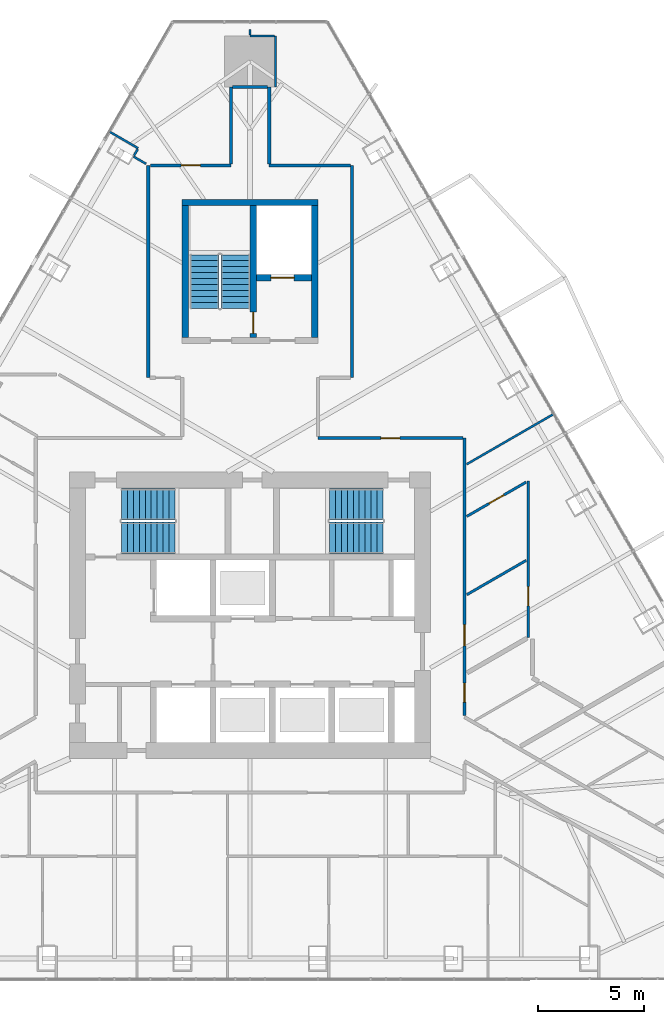
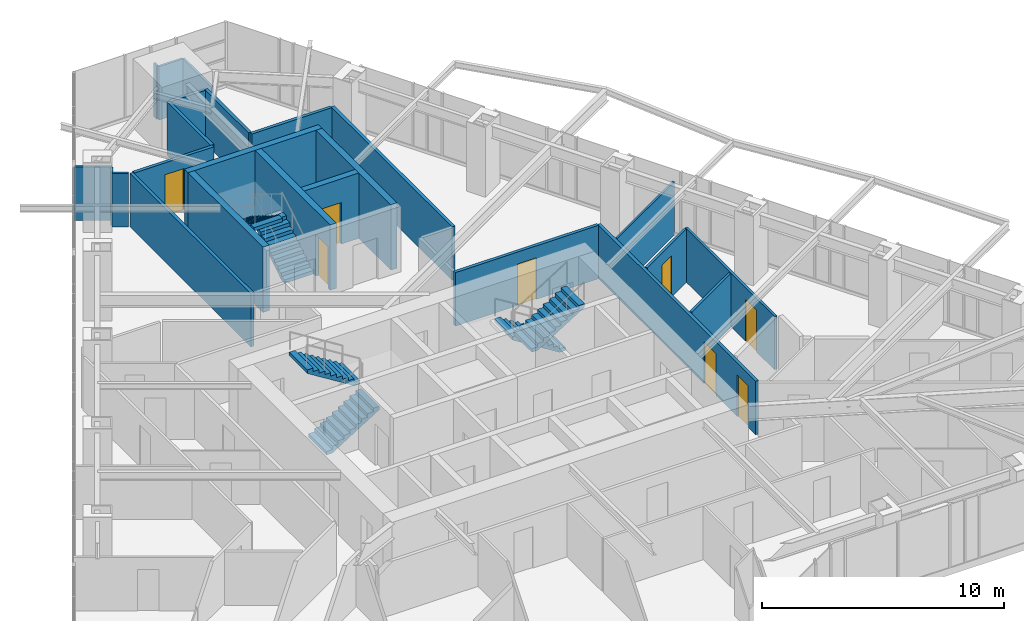
# One storey, part 24 of 26: 24 walls, 8 doors, 6 stair flights, 8 openings, 3 elements without a shape of their own.
"""IFC4 building model written with IfcOpenShell, lengths in metres."""

from ifc_helpers import new_model, si_unit, direction, frame, frame_2d, origin, place, context, subcontext, project, spatial, polyline, rectangle, outline, extrude, material, layer, layer_set, type_object, element, fill, aggregate, save


model = new_model("IFC4")

# Units and contexts
model_context = context("Model", 3, precision=1e-05, world=origin(), true_north=direction((0.0, 1.0)))
body_context = subcontext(model_context, "Body", "Model", "MODEL_VIEW")
ifc_project = project(units=[si_unit("LENGTHUNIT", "METRE"), si_unit("AREAUNIT", "SQUARE_METRE"), si_unit("VOLUMEUNIT", "CUBIC_METRE"), si_unit("PLANEANGLEUNIT", "RADIAN"), si_unit("MASSUNIT", "GRAM", prefix="KILO")], contexts=[model_context])

# Site, building, storey
site_placement = place(None, origin())
site = spatial("IfcSite", under=ifc_project, at=site_placement, CompositionType="ELEMENT")
building_placement = place(site_placement, origin())
building = spatial("IfcBuilding", under=site, at=building_placement, Name="Firuza Gate Tower and Library", CompositionType="ELEMENT")
storey_placement = place(building_placement, frame((0.0, 0.0, 288.10009765625)))
storey = spatial("IfcBuildingStorey", under=building, at=storey_placement, Name="L69", CompositionType="ELEMENT", Elevation=288.10009765625)

# Walls
ifc_material_1 = material(Name="Concrete C60/75", Category="concrete")
ifc_layer_1 = layer(ifc_material_1, 0.300048828125)
ifc_layer_set_1 = layer_set([ifc_layer_1], Name="Core wall 300 C60/75")
wall_type_1 = type_object("IfcWallType", Name="Core wall 300 C60/75", PredefinedType="SHEAR", material=ifc_layer_set_1)
wall_1_placement = place(storey_placement, frame((71.800048828125, 94.449951171875, 0.0), z_axis=(0.0, 0.0, 1.0), x_axis=(1.0, 0.0, 0.0)))
element("IfcWall", 1, at=wall_1_placement, inside=storey, type_object=wall_type_1, Name="Core wall L69 19", PredefinedType="SHEAR", context=body_context, shape_type="SweptSolid", body=[
    extrude(rectangle(XDim=6.39990234375, YDim=0.300048828125, at=frame_2d((3.199951171875, 0.0))), origin(), (0.0, 0.0, 1.0), 3.2998046875),
])
for number, where, z_axis, x_axis, name in (
    (2, (71.949951171875, 88.10009765625, 0.0), (0.0, 0.0, 1.0), (0.0, 1.0, 0.0), "Core wall L69 20"),
    (3, (78.050048828125, 88.10009765625, 0.0), (0.0, 0.0, 1.0), (0.0, 1.0, 0.0), "Core wall L69 21"),
):
    element("IfcWall", number, at=place(storey_placement, frame(where, z_axis=z_axis, x_axis=x_axis)), inside=storey, type_object=wall_type_1, Name=name, PredefinedType="SHEAR", context=body_context, shape_type="SweptSolid", body=[
        extrude(rectangle(XDim=6.199951171875, YDim=0.300048828125, at=frame_2d((3.10009765625, 0.0))), origin(), (0.0, 0.0, 1.0), 3.2998046875),
    ])

# Wall, opening, door
wall_2_placement = place(storey_placement, frame((75.300048828125, 90.89990234375, 0.0), z_axis=(0.0, 0.0, 1.0), x_axis=(1.0, 0.0, 0.0)))
wall_2 = element("IfcWall", 4, at=wall_2_placement, inside=storey, type_object=wall_type_1, Name="Core wall L69 22", PredefinedType="SHEAR", context=body_context, shape_type="SweptSolid", body=[
    extrude(rectangle(XDim=2.599853515625, YDim=0.300048828125, at=frame_2d((1.2998046875, 0.0))), origin(), (0.0, 0.0, 1.0), 3.2998046875),
])
opening_1_placement = place(wall_2_placement, frame((0.675048828125, 0.0, 0.0)))
opening_1 = element("IfcOpeningElement", 5, at=opening_1_placement, cuts=wall_2, Name="Opening LD-SV1-L69", PredefinedType="OPENING", context=body_context, shape_type="SweptSolid", body=[
    extrude(rectangle(XDim=1.10009765625, YDim=2.10009765625, at=frame_2d((0.550048828125, 1.050048828125))), frame((0.0, 0.16015625, 0.0), z_axis=(0.0, -1.0, 0.0), x_axis=(1.0, 0.0, 0.0)), (0.0, 0.0, 1.0), 0.320068359375),
])
ifc_material_2 = material(Name="Stainless steel", Category="steel")
door_type_1 = type_object("IfcDoorType", Name="Lift landing door 1100x2100", OperationType="DOUBLE_DOOR_SLIDING", PredefinedType="DOOR", material=ifc_material_2)
door_1_placement = place(opening_1_placement, origin())
door_1 = element("IfcDoor", 6, at=door_1_placement, inside=storey, type_object=door_type_1, Name="Landing door SV1 L69", OperationType="DOUBLE_DOOR_SLIDING", OverallHeight=2.10009765625, OverallWidth=1.10009765625, PredefinedType="DOOR", context=body_context, shape_type="SweptSolid", body=[
    extrude(rectangle(XDim=1.10009765625, YDim=2.10009765625, at=frame_2d((0.550048828125, 1.050048828125))), frame((0.0, 0.02490234375, 0.0), z_axis=(0.0, -1.0, 0.0), x_axis=(1.0, 0.0, 0.0)), (0.0, 0.0, 1.0), 0.050048828125),
])
fill(opening_1, door_1)

wall_3_placement = place(storey_placement, frame((75.14990234375, 88.10009765625, 0.0), z_axis=(0.0, 0.0, 1.0), x_axis=(0.0, 1.0, 0.0)))
wall_3 = element("IfcWall", 7, at=wall_3_placement, inside=storey, type_object=wall_type_1, Name="Core wall L69 23", PredefinedType="SHEAR", context=body_context, shape_type="SweptSolid", body=[
    extrude(rectangle(XDim=6.199951171875, YDim=0.300048828125, at=frame_2d((3.10009765625, 0.0))), origin(), (0.0, 0.0, 1.0), 3.2998046875),
])
opening_2_placement = place(wall_3_placement, frame((0.18505859375, 0.0, 0.0)))
opening_2 = element("IfcOpeningElement", 8, at=opening_2_placement, cuts=wall_3, Name="Opening L69-K12", PredefinedType="OPENING", context=body_context, shape_type="SweptSolid", body=[
    extrude(rectangle(XDim=1.0, YDim=2.10009765625, at=frame_2d((0.5, 1.050048828125))), frame((0.0, 0.16015625, 0.0), z_axis=(0.0, -1.0, 0.0), x_axis=(1.0, 0.0, 0.0)), (0.0, 0.0, 1.0), 0.320068359375),
])
ifc_material_3 = material(Name="Steel", Category="steel")
door_type_2 = type_object("IfcDoorType", Name="Fire door 1000x2100 FD90", OperationType="NOTDEFINED", PredefinedType="DOOR", material=ifc_material_3)
door_2_placement = place(opening_2_placement, origin())
door_2 = element("IfcDoor", 9, at=door_2_placement, inside=storey, type_object=door_type_2, Name="Door L69-K12", OperationType="SINGLE_SWING_LEFT", OverallHeight=2.10009765625, OverallWidth=1.0, PredefinedType="DOOR", context=body_context, shape_type="SweptSolid", body=[
    extrude(rectangle(XDim=1.0, YDim=2.10009765625, at=frame_2d((0.5, 1.050048828125))), frame((0.0, 0.02490234375, 0.0), z_axis=(0.0, -1.0, 0.0), x_axis=(1.0, 0.0, 0.0)), (0.0, 0.0, 1.0), 0.050048828125),
])
fill(opening_2, door_2)

ifc_material_4 = material(Name="Gypsum board partition")
ifc_layer_2 = layer(ifc_material_4, 0.14990234375)
ifc_layer_set_2 = layer_set([ifc_layer_2], Name="Corridor wall 150 double board on steel studs")
wall_type_2 = type_object("IfcWallType", Name="Corridor wall 150 double board on steel studs", PredefinedType="PARTITIONING", material=ifc_layer_set_2)
wall_4_placement = place(storey_placement, frame((78.199951171875, 83.35009765625, 0.0), z_axis=(0.0, 0.0, 1.0), x_axis=(1.0, 0.0, 0.0)))
wall_4 = element("IfcWall", 10, at=wall_4_placement, inside=storey, type_object=wall_type_2, Name="f:L69:w006", PredefinedType="PARTITIONING", context=body_context, shape_type="SweptSolid", body=[
    extrude(rectangle(XDim=6.822998046875, YDim=0.14990234375, at=frame_2d((3.41162109375, 0.0))), origin(), (0.0, 0.0, 1.0), 2.699951171875),
])
opening_3_placement = place(wall_4_placement, frame((2.96142578125, 0.0, 0.0)))
opening_3 = element("IfcOpeningElement", 11, at=opening_3_placement, cuts=wall_4, Name="Opening L69-07", PredefinedType="OPENING", context=body_context, shape_type="SweptSolid", body=[
    extrude(rectangle(XDim=0.89990234375, YDim=2.10009765625, at=frame_2d((0.449951171875, 1.050048828125))), frame((0.0, 0.0849609375, 0.0), z_axis=(0.0, -1.0, 0.0), x_axis=(1.0, 0.0, 0.0)), (0.0, 0.0, 1.0), 0.169921875),
])
ifc_material_5 = material(Name="Steel door and timber leaf", Category="steel")
door_type_3 = type_object("IfcDoorType", Name="Fire door 900 x 2100 steel frame, timber leaf", OperationType="NOTDEFINED", PredefinedType="DOOR", material=ifc_material_5)
door_3_placement = place(opening_3_placement, origin())
door_3 = element("IfcDoor", 12, at=door_3_placement, inside=storey, type_object=door_type_3, Name="f:L69:d007", OperationType="SINGLE_SWING_RIGHT", OverallHeight=2.10009765625, OverallWidth=0.89990234375, PredefinedType="DOOR", context=body_context, shape_type="SweptSolid", body=[
    extrude(rectangle(XDim=0.89990234375, YDim=2.10009765625, at=frame_2d((0.449951171875, 1.050048828125))), frame((0.0, 0.02490234375, 0.0), z_axis=(0.0, -1.0, 0.0), x_axis=(1.0, 0.0, 0.0)), (0.0, 0.0, 1.0), 0.050048828125),
])
fill(opening_3, door_3)

wall_5_placement = place(storey_placement, frame((70.30224609375, 96.199951171875, 0.0), z_axis=(0.0, 0.0, 1.0), x_axis=(1.0, 0.0, 0.0)))
wall_5 = element("IfcWall", 13, at=wall_5_placement, inside=storey, type_object=wall_type_2, Name="f:L69:w010", PredefinedType="PARTITIONING", context=body_context, shape_type="SweptSolid", body=[
    extrude(rectangle(XDim=3.7978515625, YDim=0.14990234375, at=frame_2d((1.89892578125, 0.0))), origin(), (0.0, 0.0, 1.0), 2.699951171875),
])
opening_4_placement = place(wall_5_placement, frame((1.448974609375, 0.0, 0.0)))
opening_4 = element("IfcOpeningElement", 14, at=opening_4_placement, cuts=wall_5, Name="Opening L69-09", PredefinedType="OPENING", context=body_context, shape_type="SweptSolid", body=[
    extrude(rectangle(XDim=0.89990234375, YDim=2.10009765625, at=frame_2d((0.449951171875, 1.050048828125))), frame((0.0, 0.0849609375, 0.0), z_axis=(0.0, -1.0, 0.0), x_axis=(1.0, 0.0, 0.0)), (0.0, 0.0, 1.0), 0.169921875),
])
door_4_placement = place(opening_4_placement, origin())
door_4 = element("IfcDoor", 15, at=door_4_placement, inside=storey, type_object=door_type_3, Name="f:L69:d009", OperationType="SINGLE_SWING_LEFT", OverallHeight=2.10009765625, OverallWidth=0.89990234375, PredefinedType="DOOR", context=body_context, shape_type="SweptSolid", body=[
    extrude(rectangle(XDim=0.89990234375, YDim=2.10009765625, at=frame_2d((0.449951171875, 1.050048828125))), frame((0.0, 0.02490234375, 0.0), z_axis=(0.0, -1.0, 0.0), x_axis=(1.0, 0.0, 0.0)), (0.0, 0.0, 1.0), 0.050048828125),
])
fill(opening_4, door_4)

# Walls
wall_6_placement = place(storey_placement, frame((75.900146484375, 96.199951171875, 0.0), z_axis=(0.0, 0.0, 1.0), x_axis=(1.0, 0.0, 0.0)))
element("IfcWall", 16, at=wall_6_placement, inside=storey, type_object=wall_type_2, Name="f:L69:w011", PredefinedType="PARTITIONING", context=body_context, shape_type="SweptSolid", body=[
    extrude(rectangle(XDim=3.82275390625, YDim=0.14990234375, at=frame_2d((1.911376953125, 0.0))), origin(), (0.0, 0.0, 1.0), 2.699951171875),
])
wall_7_placement = place(storey_placement, frame((74.175537109375, 99.90087890625, 0.0), z_axis=(0.0, 0.0, 1.0), x_axis=(1.0, 0.0, 0.0)))
element("IfcWall", 17, at=wall_7_placement, inside=storey, type_object=wall_type_2, Name="f:L69:w012", PredefinedType="PARTITIONING", context=body_context, shape_type="SweptSolid", body=[
    extrude(rectangle(XDim=1.642333984375, YDim=0.14990234375, at=frame_2d((0.8212890625, 0.0))), origin(), (0.0, 0.0, 1.0), 2.697021484375),
])

# Wall, openings, doors
wall_8_placement = place(storey_placement, frame((85.10009765625, 83.347900390625, 0.0), z_axis=(0.0, 0.0, 1.0), x_axis=(0.0, -1.0, 0.0)))
wall_8 = element("IfcWall", 18, at=wall_8_placement, inside=storey, type_object=wall_type_2, Name="f:L69:w042", PredefinedType="PARTITIONING", context=body_context, shape_type="SweptSolid", body=[
    extrude(rectangle(XDim=13.05322265625, YDim=0.14990234375, at=frame_2d((6.526611328125, 0.0))), origin(), (0.0, 0.0, 1.0), 2.699951171875),
])
opening_5_placement = place(wall_8_placement, frame((8.779541015625, 0.0, 0.0)))
opening_5 = element("IfcOpeningElement", 19, at=opening_5_placement, cuts=wall_8, Name="Opening L69-18", PredefinedType="OPENING", context=body_context, shape_type="SweptSolid", body=[
    extrude(rectangle(XDim=1.0, YDim=2.10009765625, at=frame_2d((0.5, 1.050048828125))), frame((0.0, 0.0849609375, 0.0), z_axis=(0.0, -1.0, 0.0), x_axis=(1.0, 0.0, 0.0)), (0.0, 0.0, 1.0), 0.169921875),
])
opening_6_placement = place(wall_8_placement, frame((11.537109375, 0.0, 0.0)))
opening_6 = element("IfcOpeningElement", 20, at=opening_6_placement, cuts=wall_8, Name="Opening L69-19", PredefinedType="OPENING", context=body_context, shape_type="SweptSolid", body=[
    extrude(rectangle(XDim=0.89990234375, YDim=2.10009765625, at=frame_2d((0.449951171875, 1.050048828125))), frame((0.0, 0.0849609375, 0.0), z_axis=(0.0, -1.0, 0.0), x_axis=(1.0, 0.0, 0.0)), (0.0, 0.0, 1.0), 0.169921875),
])
ifc_material_6 = material(Name="Steel door and timber leaf", Category="steel")
door_type_4 = type_object("IfcDoorType", Name="Fire door 1000 x 2100 steel frame, timber leaf", OperationType="NOTDEFINED", PredefinedType="DOOR", material=ifc_material_6)
door_5_placement = place(opening_5_placement, origin())
door_5 = element("IfcDoor", 21, at=door_5_placement, inside=storey, type_object=door_type_4, Name="f:L69:d018", OperationType="SINGLE_SWING_LEFT", OverallHeight=2.10009765625, OverallWidth=1.0, PredefinedType="DOOR", context=body_context, shape_type="SweptSolid", body=[
    extrude(rectangle(XDim=1.0, YDim=2.10009765625, at=frame_2d((0.5, 1.050048828125))), frame((0.0, 0.02490234375, 0.0), z_axis=(0.0, -1.0, 0.0), x_axis=(1.0, 0.0, 0.0)), (0.0, 0.0, 1.0), 0.050048828125),
])
fill(opening_5, door_5)
door_6_placement = place(opening_6_placement, origin())
door_6 = element("IfcDoor", 22, at=door_6_placement, inside=storey, type_object=door_type_3, Name="f:L69:d019", OperationType="SINGLE_SWING_LEFT", OverallHeight=2.10009765625, OverallWidth=0.89990234375, PredefinedType="DOOR", context=body_context, shape_type="SweptSolid", body=[
    extrude(rectangle(XDim=0.89990234375, YDim=2.10009765625, at=frame_2d((0.449951171875, 1.050048828125))), frame((0.0, 0.02490234375, 0.0), z_axis=(0.0, -1.0, 0.0), x_axis=(1.0, 0.0, 0.0)), (0.0, 0.0, 1.0), 0.050048828125),
])
fill(opening_6, door_6)

# Walls
wall_9_placement = place(storey_placement, frame((79.800048828125, 86.201904296875, 0.0), z_axis=(0.0, 0.0, 1.0), x_axis=(0.0, 1.0, 0.0)))
element("IfcWall", 23, at=wall_9_placement, inside=storey, type_object=wall_type_2, Name="f:L69:w044", PredefinedType="PARTITIONING", context=body_context, shape_type="SweptSolid", body=[
    extrude(rectangle(XDim=9.99609375, YDim=0.14990234375, at=frame_2d((4.998046875, 0.0))), origin(), (0.0, 0.0, 1.0), 2.699951171875),
])
wall_10_placement = place(storey_placement, frame((75.89990234375, 96.275146484375, 0.0), z_axis=(0.0, 0.0, 1.0), x_axis=(0.0, 1.0, 0.0)))
element("IfcWall", 24, at=wall_10_placement, inside=storey, type_object=wall_type_2, Name="f:L69:w048", PredefinedType="PARTITIONING", context=body_context, shape_type="SweptSolid", body=[
    extrude(rectangle(XDim=3.62548828125, YDim=0.14990234375, at=frame_2d((1.812744140625, 0.0))), origin(), (0.0, 0.0, 1.0), 2.699951171875),
])
wall_11_placement = place(storey_placement, frame((74.10009765625, 96.27490234375, 0.0), z_axis=(0.0, 0.0, 1.0), x_axis=(0.0, 1.0, 0.0)))
element("IfcWall", 25, at=wall_11_placement, inside=storey, type_object=wall_type_2, Name="f:L69:w050", PredefinedType="PARTITIONING", context=body_context, shape_type="SweptSolid", body=[
    extrude(rectangle(XDim=3.625244140625, YDim=0.14990234375, at=frame_2d((1.8125, 0.0))), origin(), (0.0, 0.0, 1.0), 2.699951171875),
])
wall_12_placement = place(storey_placement, frame((70.199951171875, 86.200439453125, 0.0), z_axis=(0.0, 0.0, 1.0), x_axis=(0.0, 1.0, 0.0)))
element("IfcWall", 26, at=wall_12_placement, inside=storey, type_object=wall_type_2, Name="f:L69:w053", PredefinedType="PARTITIONING", context=body_context, shape_type="SweptSolid", body=[
    extrude(rectangle(XDim=9.9990234375, YDim=0.14990234375, at=frame_2d((4.99951171875, 0.0))), origin(), (0.0, 0.0, 1.0), 2.699951171875),
])
ifc_material_7 = material(Name="Gypsum board partition")
ifc_layer_3 = layer(ifc_material_7, 0.10009765625)
ifc_layer_set_3 = layer_set([ifc_layer_3], Name="Partition 100 gypsum board on steel studs")
wall_type_3 = type_object("IfcWallType", Name="Partition 100 gypsum board on steel studs", PredefinedType="PARTITIONING", material=ifc_layer_set_3)
wall_13_placement = place(storey_placement, frame((75.00048828125, 102.301025390625, 0.0), z_axis=(0.0, 0.0, 1.0), x_axis=(1.0, 0.0, 0.0)))
element("IfcWall", 27, at=wall_13_placement, inside=storey, type_object=wall_type_3, Name="f:L69:w013", PredefinedType="PARTITIONING", context=body_context, shape_type="SweptSolid", body=[
    extrude(rectangle(XDim=1.1474609375, YDim=0.10009765625, at=frame_2d((0.57373046875, 0.0))), origin(), (0.0, 0.0, 1.0), 2.699951171875),
])
wall_14_placement = place(storey_placement, frame((85.200927734375, 82.119384765625, 0.0), z_axis=(0.0, 0.0, 1.0), x_axis=(0.866035297817, 0.499982862641, 0.0)))
element("IfcWall", 28, at=wall_14_placement, inside=storey, type_object=wall_type_3, Name="f:L69:w027", PredefinedType="PARTITIONING", context=body_context, shape_type="SweptSolid", body=[
    extrude(rectangle(XDim=4.734130859375, YDim=0.10009765625, at=frame_2d((2.3671875, 0.0))), origin(), (0.0, 0.0, 1.0), 2.68798828125),
])
wall_15_placement = place(storey_placement, frame((69.52978515625, 96.6611328125, 0.0), z_axis=(0.0, 0.0, 1.0), x_axis=(0.499904278411, 0.866080661617, 0.0)))
element("IfcWall", 29, at=wall_15_placement, inside=storey, type_object=wall_type_3, Name="f:L69:w031", PredefinedType="PARTITIONING", context=body_context, shape_type="SweptSolid", body=[
    extrude(rectangle(XDim=0.3486328125, YDim=0.10009765625, at=frame_2d((0.17431640625, 0.0))), origin(), (0.0, 0.0, 1.0), 2.699951171875),
])
wall_16_placement = place(storey_placement, frame((76.199951171875, 99.902587890625, 0.0), z_axis=(0.0, 0.0, 1.0), x_axis=(0.0, 1.0, 0.0)))
element("IfcWall", 30, at=wall_16_placement, inside=storey, type_object=wall_type_3, Name="f:L69:w047", PredefinedType="PARTITIONING", context=body_context, shape_type="SweptSolid", body=[
    extrude(rectangle(XDim=2.39599609375, YDim=0.10009765625, at=frame_2d((1.197998046875, 0.0))), origin(), (0.0, 0.0, 1.0), 2.699951171875),
])
wall_17_placement = place(storey_placement, frame((75.0, 102.35107421875, 0.0), z_axis=(0.0, 0.0, 1.0), x_axis=(0.0, 1.0, 0.0)))
element("IfcWall", 31, at=wall_17_placement, inside=storey, type_object=wall_type_3, Name="f:L69:w049", PredefinedType="PARTITIONING", context=body_context, shape_type="SweptSolid", body=[
    extrude(rectangle(XDim=0.24951171875, YDim=0.10009765625, at=frame_2d((0.124755859375, 0.0))), origin(), (0.0, 0.0, 1.0), 2.699951171875),
])
wall_18_placement = place(storey_placement, frame((69.728759765625, 97.007080078125, 0.0), z_axis=(0.0, 0.0, 1.0), x_axis=(-0.866018739521, 0.500011542666, 0.0)))
element("IfcWall", 32, at=wall_18_placement, inside=storey, type_object=wall_type_3, Name="f:L69:w064", PredefinedType="PARTITIONING", context=body_context, shape_type="SweptSolid", body=[
    extrude(rectangle(XDim=1.5595703125, YDim=0.10009765625, at=frame_2d((0.77978515625, 0.0))), origin(), (0.0, 0.0, 1.0), 2.699951171875),
])
wall_19_placement = place(storey_placement, frame((70.09716796875, 96.27490234375, 0.0), z_axis=(0.0, 0.0, 1.0), x_axis=(-0.866060802215, 0.499938683108, 0.0)))
element("IfcWall", 33, at=wall_19_placement, inside=storey, type_object=wall_type_3, Name="f:L69:w065", PredefinedType="PARTITIONING", context=body_context, shape_type="SweptSolid", body=[
    extrude(rectangle(XDim=0.68408203125, YDim=0.10009765625, at=frame_2d((0.342041015625, 0.0))), origin(), (0.0, 0.0, 1.0), 2.699951171875),
])
ifc_material_8 = material(Name="Gypsum board partition")
ifc_layer_4 = layer(ifc_material_8, 0.1201171875)
ifc_layer_set_4 = layer_set([ifc_layer_4], Name="Wet-area partition 120 moisture-resistant board")
wall_type_4 = type_object("IfcWallType", Name="Wet-area partition 120 moisture-resistant board", PredefinedType="PARTITIONING", material=ifc_layer_set_4)
wall_20_placement = place(storey_placement, frame((85.209716796875, 75.975830078125, 0.0), z_axis=(0.0, 0.0, 1.0), x_axis=(0.86605210011, 0.499953757757, 0.0)))
element("IfcWall", 34, at=wall_20_placement, inside=storey, type_object=wall_type_4, Name="f:L69:w020", PredefinedType="PARTITIONING", context=body_context, shape_type="SweptSolid", body=[
    extrude(rectangle(XDim=3.228271484375, YDim=0.1201171875, at=frame_2d((1.6142578125, 0.0))), origin(), (0.0, 0.0, 1.0), 2.699951171875),
])

# Wall, opening, door
wall_21_placement = place(storey_placement, frame((88.00537109375, 81.279052734375, 0.0), z_axis=(0.0, 0.0, 1.0), x_axis=(-0.866000447062, -0.500043223821, 0.0)))
wall_21 = element("IfcWall", 35, at=wall_21_placement, inside=storey, type_object=wall_type_4, Name="f:L69:w023", PredefinedType="PARTITIONING", context=body_context, shape_type="SweptSolid", body=[
    extrude(rectangle(XDim=3.228271484375, YDim=0.1201171875, at=frame_2d((1.6142578125, 0.0))), origin(), (0.0, 0.0, 1.0), 2.699951171875),
])
opening_7_placement = place(wall_21_placement, frame((1.214111328125, 0.0, 0.0)))
opening_7 = element("IfcOpeningElement", 36, at=opening_7_placement, cuts=wall_21, Name="Opening L69-11", PredefinedType="OPENING", context=body_context, shape_type="SweptSolid", body=[
    extrude(rectangle(XDim=0.800048828125, YDim=2.10009765625, at=frame_2d((0.39990234375, 1.050048828125))), frame((0.0, 0.070068359375, 0.0), z_axis=(0.0, -1.0, 0.0), x_axis=(1.0, 0.0, 0.0)), (0.0, 0.0, 1.0), 0.14013671875),
])
ifc_material_9 = material(Name="Timber door", Category="wood")
door_type_5 = type_object("IfcDoorType", Name="Door 800 x 2100 timber leaf", OperationType="NOTDEFINED", PredefinedType="DOOR", material=ifc_material_9)
door_7_placement = place(opening_7_placement, origin())
door_7 = element("IfcDoor", 37, at=door_7_placement, inside=storey, type_object=door_type_5, Name="f:L69:d011", OperationType="SINGLE_SWING_RIGHT", OverallHeight=2.10009765625, OverallWidth=0.800048828125, PredefinedType="DOOR", context=body_context, shape_type="SweptSolid", body=[
    extrude(rectangle(XDim=0.800048828125, YDim=2.10009765625, at=frame_2d((0.39990234375, 1.050048828125))), frame((0.0, 0.02490234375, 0.0), z_axis=(0.0, -1.0, 0.0), x_axis=(1.0, 0.0, 0.0)), (0.0, 0.0, 1.0), 0.050048828125),
])
fill(opening_7, door_7)

wall_22_placement = place(storey_placement, frame((88.10009765625, 81.333740234375, 0.0), z_axis=(0.0, 0.0, 1.0), x_axis=(0.0, -1.0, 0.0)))
wall_22 = element("IfcWall", 38, at=wall_22_placement, inside=storey, type_object=wall_type_4, Name="f:L69:w038", PredefinedType="PARTITIONING", context=body_context, shape_type="SweptSolid", body=[
    extrude(rectangle(XDim=7.3779296875, YDim=0.1201171875, at=frame_2d((3.68896484375, 0.0))), origin(), (0.0, 0.0, 1.0), 2.699951171875),
])
opening_8_placement = place(wall_22_placement, frame((4.98193359375, 0.0, 0.0)))
opening_8 = element("IfcOpeningElement", 39, at=opening_8_placement, cuts=wall_22, Name="Opening L69-16", PredefinedType="OPENING", context=body_context, shape_type="SweptSolid", body=[
    extrude(rectangle(XDim=0.89990234375, YDim=2.10009765625, at=frame_2d((0.449951171875, 1.050048828125))), frame((0.0, 0.070068359375, 0.0), z_axis=(0.0, -1.0, 0.0), x_axis=(1.0, 0.0, 0.0)), (0.0, 0.0, 1.0), 0.14013671875),
])
ifc_material_10 = material(Name="Timber door", Category="wood")
door_type_6 = type_object("IfcDoorType", Name="Door 900 x 2100 timber leaf", OperationType="NOTDEFINED", PredefinedType="DOOR", material=ifc_material_10)
door_8_placement = place(opening_8_placement, origin())
door_8 = element("IfcDoor", 40, at=door_8_placement, inside=storey, type_object=door_type_6, Name="f:L69:d016", OperationType="SINGLE_SWING_RIGHT", OverallHeight=2.10009765625, OverallWidth=0.89990234375, PredefinedType="DOOR", context=body_context, shape_type="SweptSolid", body=[
    extrude(rectangle(XDim=0.89990234375, YDim=2.10009765625, at=frame_2d((0.449951171875, 1.050048828125))), frame((0.0, 0.02490234375, 0.0), z_axis=(0.0, -1.0, 0.0), x_axis=(1.0, 0.0, 0.0)), (0.0, 0.0, 1.0), 0.050048828125),
])
fill(opening_8, door_8)

# Stair, stair flights
ifc_material_11 = material(Name="Concrete C35/45", Category="concrete")
stair_type_1 = type_object("IfcStairType", Name="Exit stair ST17", PredefinedType="HALF_TURN_STAIR", material=ifc_material_11)
placement = place(storey_placement, origin())
stair_1 = element("IfcStair", 41, at=placement, inside=storey, type_object=stair_type_1, Name="L69 Stair ST3", PredefinedType="HALF_TURN_STAIR")
ifc_material_12 = material(Name="Concrete C35/45", Category="concrete")
stair_flight_type_1 = type_object("IfcStairFlightType", Name="Stair flight 10 risers 175 width 1370", PredefinedType="STRAIGHT", material=ifc_material_12)
stair_flight_1_placement = place(storey_placement, frame((74.31494140625, 89.469970703125, 0.0), z_axis=(0.0, 0.0, 1.0), x_axis=(0.0, 1.0, 0.0)))
stair_flight_1 = element("IfcStairFlight", 42, at=stair_flight_1_placement, type_object=stair_flight_type_1, Name="ST3 flight 1", NumberOfRisers=10, NumberOfTreads=9, PredefinedType="STRAIGHT", RiserHeight=0.175, TreadLength=0.28, context=body_context, shape_type="SweptSolid", body=[
    extrude(outline(polyline([(0.0, 0.0), (0.0, 0.175048828125), (0.280029296875, 0.175048828125), (0.280029296875, 0.35009765625), (0.56005859375, 0.35009765625), (0.56005859375, 0.52490234375), (0.840087890625, 0.52490234375), (0.840087890625, 0.699951171875), (1.1201171875, 0.699951171875), (1.1201171875, 0.875), (1.39990234375, 0.875), (1.39990234375, 1.050048828125), (1.679931640625, 1.050048828125), (1.679931640625, 1.22509765625), (1.9599609375, 1.22509765625), (1.9599609375, 1.39990234375), (2.239990234375, 1.39990234375), (2.239990234375, 1.574951171875), (2.52001953125, 1.574951171875), (2.52001953125, 1.75), (2.52001953125, 1.398193359375), (0.28271484375, 0.0), (0.0, 0.0)])), frame((0.0, 0.68505859375, 0.0), z_axis=(0.0, -1.0, 0.0), x_axis=(1.0, 0.0, 0.0)), (0.0, 0.0, 1.0), 1.3701171875),
])
stair_flight_2_placement = place(storey_placement, frame((72.844970703125, 91.989990234375, 1.75), z_axis=(0.0, 0.0, 1.0), x_axis=(0.0, -1.0, 0.0)))
stair_flight_2 = element("IfcStairFlight", 43, at=stair_flight_2_placement, type_object=stair_flight_type_1, Name="ST3 flight 2", NumberOfRisers=10, NumberOfTreads=9, PredefinedType="STRAIGHT", RiserHeight=0.175, TreadLength=0.28, context=body_context, shape_type="SweptSolid", body=[
    extrude(outline(polyline([(0.0, 0.0), (0.0, 0.175048828125), (0.280029296875, 0.175048828125), (0.280029296875, 0.35009765625), (0.56005859375, 0.35009765625), (0.56005859375, 0.52490234375), (0.840087890625, 0.52490234375), (0.840087890625, 0.699951171875), (1.1201171875, 0.699951171875), (1.1201171875, 0.875), (1.39990234375, 0.875), (1.39990234375, 1.050048828125), (1.679931640625, 1.050048828125), (1.679931640625, 1.22509765625), (1.9599609375, 1.22509765625), (1.9599609375, 1.39990234375), (2.239990234375, 1.39990234375), (2.239990234375, 1.574951171875), (2.52001953125, 1.574951171875), (2.52001953125, 1.75), (2.52001953125, 1.398193359375), (0.28271484375, 0.0), (0.0, 0.0)])), frame((0.0, 0.68505859375, 0.0), z_axis=(0.0, -1.0, 0.0), x_axis=(1.0, 0.0, 0.0)), (0.0, 0.0, 1.0), 1.3701171875),
])
aggregate(stair_1, [stair_flight_1, stair_flight_2])

ifc_material_13 = material(Name="Concrete C35/45", Category="concrete")
stair_type_2 = type_object("IfcStairType", Name="Exit stair ST8", PredefinedType="HALF_TURN_STAIR", material=ifc_material_13)
stair_2 = element("IfcStair", 44, at=placement, inside=storey, type_object=stair_type_2, Name="L69 Stair ST1", PredefinedType="HALF_TURN_STAIR")
ifc_material_14 = material(Name="Concrete C35/45", Category="concrete")
stair_flight_type_2 = type_object("IfcStairFlightType", Name="Stair flight 10 risers 175 width 1490", PredefinedType="STRAIGHT", material=ifc_material_14)
stair_flight_3_placement = place(storey_placement, frame((68.93994140625, 78.64501953125, 0.0), z_axis=(0.0, 0.0, 1.0), x_axis=(1.0, 0.0, 0.0)))
stair_flight_3 = element("IfcStairFlight", 45, at=stair_flight_3_placement, type_object=stair_flight_type_2, Name="ST1 flight 1", NumberOfRisers=10, NumberOfTreads=9, PredefinedType="STRAIGHT", RiserHeight=0.175, TreadLength=0.28, context=body_context, shape_type="SweptSolid", body=[
    extrude(outline(polyline([(0.0, 0.0), (0.0, 0.175048828125), (0.280029296875, 0.175048828125), (0.280029296875, 0.35009765625), (0.56005859375, 0.35009765625), (0.56005859375, 0.52490234375), (0.840087890625, 0.52490234375), (0.840087890625, 0.699951171875), (1.1201171875, 0.699951171875), (1.1201171875, 0.875), (1.39990234375, 0.875), (1.39990234375, 1.050048828125), (1.679931640625, 1.050048828125), (1.679931640625, 1.22509765625), (1.9599609375, 1.22509765625), (1.9599609375, 1.39990234375), (2.239990234375, 1.39990234375), (2.239990234375, 1.574951171875), (2.52001953125, 1.574951171875), (2.52001953125, 1.75), (2.52001953125, 1.398193359375), (0.28271484375, 0.0), (0.0, 0.0)])), frame((0.0, 0.7451171875, 0.0), z_axis=(0.0, -1.0, 0.0), x_axis=(1.0, 0.0, 0.0)), (0.0, 0.0, 1.0), 1.489990234375),
])
stair_flight_4_placement = place(storey_placement, frame((71.4599609375, 80.235107421875, 1.75), z_axis=(0.0, 0.0, 1.0), x_axis=(-1.0, 0.0, 0.0)))
stair_flight_4 = element("IfcStairFlight", 46, at=stair_flight_4_placement, type_object=stair_flight_type_2, Name="ST1 flight 2", NumberOfRisers=10, NumberOfTreads=9, PredefinedType="STRAIGHT", RiserHeight=0.175, TreadLength=0.28, context=body_context, shape_type="SweptSolid", body=[
    extrude(outline(polyline([(0.0, 0.0), (0.0, 0.175048828125), (0.280029296875, 0.175048828125), (0.280029296875, 0.35009765625), (0.56005859375, 0.35009765625), (0.56005859375, 0.52490234375), (0.840087890625, 0.52490234375), (0.840087890625, 0.699951171875), (1.1201171875, 0.699951171875), (1.1201171875, 0.875), (1.39990234375, 0.875), (1.39990234375, 1.050048828125), (1.679931640625, 1.050048828125), (1.679931640625, 1.22509765625), (1.9599609375, 1.22509765625), (1.9599609375, 1.39990234375), (2.239990234375, 1.39990234375), (2.239990234375, 1.574951171875), (2.52001953125, 1.574951171875), (2.52001953125, 1.75), (2.52001953125, 1.398193359375), (0.28271484375, 0.0), (0.0, 0.0)])), frame((0.0, 0.7451171875, 0.0), z_axis=(0.0, -1.0, 0.0), x_axis=(1.0, 0.0, 0.0)), (0.0, 0.0, 1.0), 1.489990234375),
])
aggregate(stair_2, [stair_flight_3, stair_flight_4])

stair_3 = element("IfcStair", 47, at=placement, inside=storey, type_object=stair_type_2, Name="L69 Stair ST2", PredefinedType="HALF_TURN_STAIR")
stair_flight_5_placement = place(storey_placement, frame((81.260009765625, 80.235107421875, 0.0), z_axis=(0.0, 0.0, 1.0), x_axis=(-1.0, 0.0, 0.0)))
stair_flight_5 = element("IfcStairFlight", 48, at=stair_flight_5_placement, type_object=stair_flight_type_2, Name="ST2 flight 1", NumberOfRisers=10, NumberOfTreads=9, PredefinedType="STRAIGHT", RiserHeight=0.175, TreadLength=0.28, context=body_context, shape_type="SweptSolid", body=[
    extrude(outline(polyline([(0.0, 0.0), (0.0, 0.175048828125), (0.280029296875, 0.175048828125), (0.280029296875, 0.35009765625), (0.56005859375, 0.35009765625), (0.56005859375, 0.52490234375), (0.840087890625, 0.52490234375), (0.840087890625, 0.699951171875), (1.1201171875, 0.699951171875), (1.1201171875, 0.875), (1.39990234375, 0.875), (1.39990234375, 1.050048828125), (1.679931640625, 1.050048828125), (1.679931640625, 1.22509765625), (1.9599609375, 1.22509765625), (1.9599609375, 1.39990234375), (2.239990234375, 1.39990234375), (2.239990234375, 1.574951171875), (2.52001953125, 1.574951171875), (2.52001953125, 1.75), (2.52001953125, 1.398193359375), (0.28271484375, 0.0), (0.0, 0.0)])), frame((0.0, 0.7451171875, 0.0), z_axis=(0.0, -1.0, 0.0), x_axis=(1.0, 0.0, 0.0)), (0.0, 0.0, 1.0), 1.489990234375),
])
stair_flight_6_placement = place(storey_placement, frame((78.739990234375, 78.64501953125, 1.75), z_axis=(0.0, 0.0, 1.0), x_axis=(1.0, 0.0, 0.0)))
stair_flight_6 = element("IfcStairFlight", 49, at=stair_flight_6_placement, type_object=stair_flight_type_2, Name="ST2 flight 2", NumberOfRisers=10, NumberOfTreads=9, PredefinedType="STRAIGHT", RiserHeight=0.175, TreadLength=0.28, context=body_context, shape_type="SweptSolid", body=[
    extrude(outline(polyline([(0.0, 0.0), (0.0, 0.175048828125), (0.280029296875, 0.175048828125), (0.280029296875, 0.35009765625), (0.56005859375, 0.35009765625), (0.56005859375, 0.52490234375), (0.840087890625, 0.52490234375), (0.840087890625, 0.699951171875), (1.1201171875, 0.699951171875), (1.1201171875, 0.875), (1.39990234375, 0.875), (1.39990234375, 1.050048828125), (1.679931640625, 1.050048828125), (1.679931640625, 1.22509765625), (1.9599609375, 1.22509765625), (1.9599609375, 1.39990234375), (2.239990234375, 1.39990234375), (2.239990234375, 1.574951171875), (2.52001953125, 1.574951171875), (2.52001953125, 1.75), (2.52001953125, 1.398193359375), (0.28271484375, 0.0), (0.0, 0.0)])), frame((0.0, 0.7451171875, 0.0), z_axis=(0.0, -1.0, 0.0), x_axis=(1.0, 0.0, 0.0)), (0.0, 0.0, 1.0), 1.489990234375),
])
aggregate(stair_3, [stair_flight_5, stair_flight_6])

save(model, "model.ifc")
